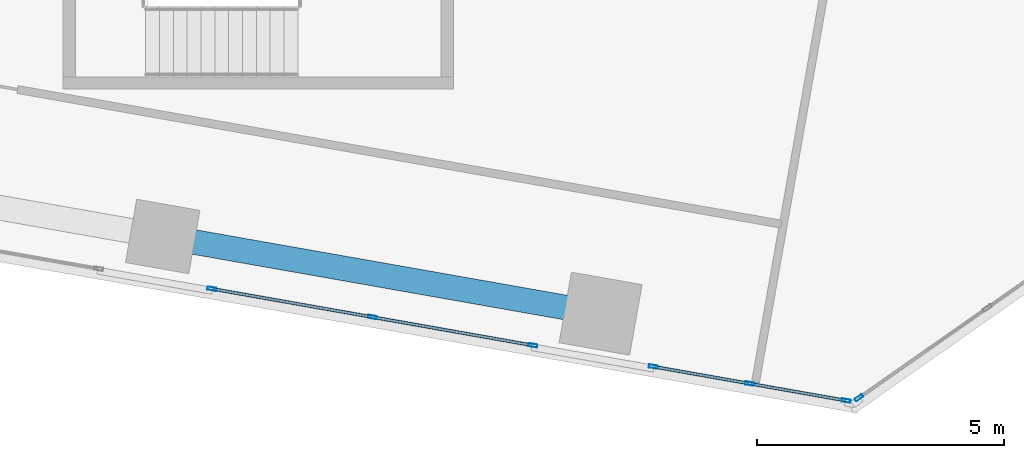
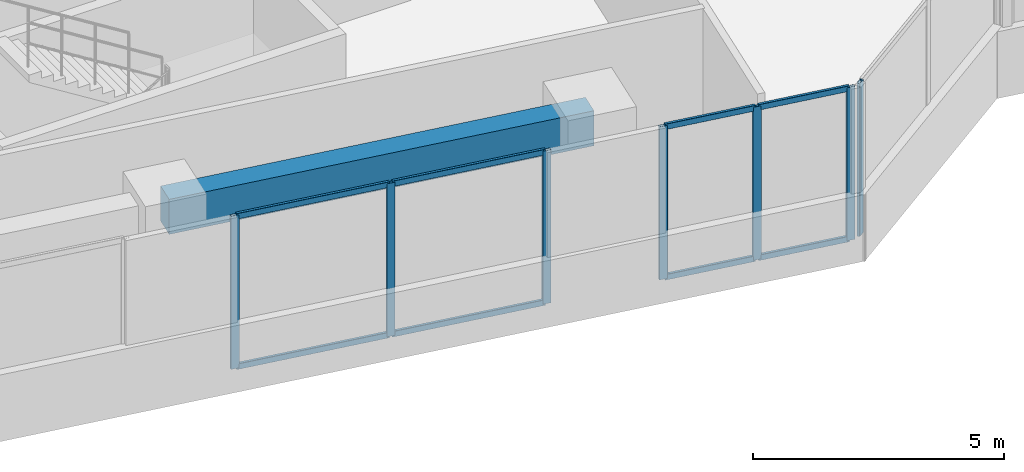
# One storey, part 4 of 24: 15 members, 1 beam, 3 elements without a shape of their own.
"""IFC4 building model written with IfcOpenShell, lengths in metres."""

from ifc_helpers import new_model, si_unit, direction, frame, origin, origin_2d, place, context, subcontext, project, spatial, rectangle, hollow_rectangle, extrude, source, transform, mapped, material, material_profile, profile_set, type_object, element, aggregate, save


model = new_model("IFC4")

# Units and contexts
model_context = context("Model", 3, precision=1e-05, world=origin(), true_north=direction((0.0, 1.0)))
body_context = subcontext(model_context, "Body", "Model", "MODEL_VIEW")
ifc_project = project(units=[si_unit("LENGTHUNIT", "METRE"), si_unit("AREAUNIT", "SQUARE_METRE"), si_unit("VOLUMEUNIT", "CUBIC_METRE"), si_unit("PLANEANGLEUNIT", "RADIAN"), si_unit("MASSUNIT", "GRAM", prefix="KILO")], contexts=[model_context])

# Site, building, storey
site_placement = place(None, origin())
site = spatial("IfcSite", under=ifc_project, at=site_placement, CompositionType="ELEMENT")
building_placement = place(site_placement, origin())
building = spatial("IfcBuilding", under=site, at=building_placement, Name="Torre Montelarca", CompositionType="ELEMENT")
storey_placement = place(building_placement, frame((0.0, 0.0, 74.800048828125)))
storey = spatial("IfcBuildingStorey", under=building, at=storey_placement, Name="L16", CompositionType="ELEMENT", Elevation=74.800048828125)

# Beam
ifc_material_1 = material(Name="Concrete C55/67", Category="concrete")
ifc_material_profile_1 = material_profile(ifc_material_1, rectangle(XDim=0.5, YDim=0.85009765625, at=origin_2d()), Name="RCB500X850", Category="concrete")
ifc_profile_set_1 = profile_set([ifc_material_profile_1], Name="Concrete C55/67")
beam_type = type_object("IfcBeamType", Name="BM-SP-RC850-EXT", PredefinedType="SPANDREL", material=ifc_profile_set_1)
shared_shape_1 = source(origin(), body_context, "Body", "SweptSolid", [
    extrude(rectangle(XDim=0.5, YDim=0.85009765625, at=origin_2d()), origin(), (0.0, 0.0, 1.0), 9.0),
])
beam_placement = place(storey_placement, frame((15.06640625, 15.669189453125, 3.534912109375), z_axis=(0.98480485219, -0.173664628243, 0.0), x_axis=(0.173664628243, 0.98480485219, 0.0)))
element("IfcBeam", 1, at=beam_placement, inside=storey, type_object=beam_type, Name="L16 Grid Girder X 18.0-27.0 at Y=14.8", PredefinedType="SPANDREL", context=body_context, shape_type="MappedRepresentation", body=[
    mapped(shared_shape_1, transform((0.0, 0.0, 0.0), scale=1.0)),
])

# Curtain wall, members
ifc_material_2 = material(Name="Insulated low-E laminated glass", Category="glass")
curtain_wall_type = type_object("IfcCurtainWallType", Name="CW-SYS-Z1", PredefinedType="USERDEFINED", material=ifc_material_2)
curtain_wall_1_placement = place(storey_placement, origin())
curtain_wall_1 = element("IfcCurtainWall", 2, at=curtain_wall_1_placement, inside=storey, type_object=curtain_wall_type, Name="L16 Curtain Wall Run CW-T3-L16-E01-B3", ObjectType="UNITISED GLAZING", PredefinedType="USERDEFINED")
ifc_material_3 = material(Name="Anodised aluminium AA 6063-T6", Category="aluminium")
ifc_material_profile_2 = material_profile(ifc_material_3, hollow_rectangle(XDim=0.06494140625, YDim=0.139892578125, WallThickness=0.00390625, InnerFilletRadius=0.00390625, OuterFilletRadius=0.008056640625, at=origin_2d()), Name="ALU65X140X4", Category="aluminium")
ifc_profile_set_2 = profile_set([ifc_material_profile_2], Name="Anodised aluminium AA 6063-T6")
member_type_1 = type_object("IfcMemberType", Name="CWT-ALU140", PredefinedType="USERDEFINED", material=ifc_profile_set_2)
shared_shape_2 = source(origin(), body_context, "Body", "SweptSolid", [
    extrude(hollow_rectangle(XDim=0.06494140625, YDim=0.139892578125, WallThickness=0.00390625, InnerFilletRadius=0.00390625, OuterFilletRadius=0.008056640625, at=origin_2d()), origin(), (0.0, 0.0, 1.0), 1.9169921875),
])
member_1_placement = place(storey_placement, frame((25.029296875, 13.02880859375, 0.032470703125), z_axis=(0.984819435921, -0.17358190756, 0.0), x_axis=(0.17358190756, 0.984819435921, 0.0)))
member_1 = element("IfcMember", 3, at=member_1_placement, type_object=member_type_1, Name="CW transom 1.1", ObjectType="TRANSOM", PredefinedType="USERDEFINED", context=body_context, shape_type="MappedRepresentation", body=[
    mapped(shared_shape_2, transform((0.0, 0.0, 0.0), scale=1.0)),
])
member_2_placement = place(storey_placement, frame((25.029296875, 13.02880859375, 3.6875), z_axis=(0.984819435921, -0.17358190756, 0.0), x_axis=(0.17358190756, 0.984819435921, 0.0)))
member_2 = element("IfcMember", 4, at=member_2_placement, type_object=member_type_1, Name="CW transom 1.2", ObjectType="TRANSOM", PredefinedType="USERDEFINED", context=body_context, shape_type="MappedRepresentation", body=[
    mapped(shared_shape_2, transform((0.0, 0.0, 0.0), scale=1.0)),
])
member_3_placement = place(storey_placement, frame((26.981201171875, 12.684814453125, 0.032470703125), z_axis=(0.984797658094, -0.173705419066, 0.0), x_axis=(0.173705419066, 0.984797658094, 0.0)))
member_3 = element("IfcMember", 5, at=member_3_placement, type_object=member_type_1, Name="CW transom 2.1", ObjectType="TRANSOM", PredefinedType="USERDEFINED", context=body_context, shape_type="MappedRepresentation", body=[
    mapped(shared_shape_2, transform((0.0, 0.0, 0.0), scale=1.0)),
])
member_4_placement = place(storey_placement, frame((26.981201171875, 12.684814453125, 3.6875), z_axis=(0.984797658094, -0.173705419066, 0.0), x_axis=(0.173705419066, 0.984797658094, 0.0)))
member_4 = element("IfcMember", 6, at=member_4_placement, type_object=member_type_1, Name="CW transom 2.2", ObjectType="TRANSOM", PredefinedType="USERDEFINED", context=body_context, shape_type="MappedRepresentation", body=[
    mapped(shared_shape_2, transform((0.0, 0.0, 0.0), scale=1.0)),
])

curtain_wall_2_placement = place(storey_placement, origin())
curtain_wall_2 = element("IfcCurtainWall", 7, at=curtain_wall_2_placement, inside=storey, type_object=curtain_wall_type, Name="L16 Curtain Wall Run CW-T3-L16-E01-B2", ObjectType="UNITISED GLAZING", PredefinedType="USERDEFINED")
shared_shape_3 = source(origin(), body_context, "Body", "SweptSolid", [
    extrude(hollow_rectangle(XDim=0.06494140625, YDim=0.139892578125, WallThickness=0.00390625, InnerFilletRadius=0.00390625, OuterFilletRadius=0.008056640625, at=origin_2d()), origin(), (0.0, 0.0, 1.0), 3.23486328125),
])
member_5_placement = place(storey_placement, frame((16.09228515625, 14.604736328125, 0.032470703125), z_axis=(0.984806343262, -0.173656172568, 0.0), x_axis=(0.173656172568, 0.984806343262, 0.0)))
member_5 = element("IfcMember", 8, at=member_5_placement, type_object=member_type_1, Name="CW transom 1.1", ObjectType="TRANSOM", PredefinedType="USERDEFINED", context=body_context, shape_type="MappedRepresentation", body=[
    mapped(shared_shape_3, transform((0.0, 0.0, 0.0), scale=1.0)),
])
member_6_placement = place(storey_placement, frame((16.09228515625, 14.604736328125, 3.6875), z_axis=(0.984806343262, -0.173656172568, 0.0), x_axis=(0.173656172568, 0.984806343262, 0.0)))
member_6 = element("IfcMember", 9, at=member_6_placement, type_object=member_type_1, Name="CW transom 1.2", ObjectType="TRANSOM", PredefinedType="USERDEFINED", context=body_context, shape_type="MappedRepresentation", body=[
    mapped(shared_shape_3, transform((0.0, 0.0, 0.0), scale=1.0)),
])
member_7_placement = place(storey_placement, frame((19.342041015625, 14.03173828125, 0.032470703125), z_axis=(0.984806343262, -0.173656172568, 0.0), x_axis=(0.173656172568, 0.984806343262, 0.0)))
member_7 = element("IfcMember", 10, at=member_7_placement, type_object=member_type_1, Name="CW transom 2.1", ObjectType="TRANSOM", PredefinedType="USERDEFINED", context=body_context, shape_type="MappedRepresentation", body=[
    mapped(shared_shape_3, transform((0.0, 0.0, 0.0), scale=1.0)),
])
member_8_placement = place(storey_placement, frame((19.342041015625, 14.03173828125, 3.6875), z_axis=(0.984806343262, -0.173656172568, 0.0), x_axis=(0.173656172568, 0.984806343262, 0.0)))
member_8 = element("IfcMember", 11, at=member_8_placement, type_object=member_type_1, Name="CW transom 2.2", ObjectType="TRANSOM", PredefinedType="USERDEFINED", context=body_context, shape_type="MappedRepresentation", body=[
    mapped(shared_shape_3, transform((0.0, 0.0, 0.0), scale=1.0)),
])
ifc_material_profile_3 = material_profile(ifc_material_3, hollow_rectangle(XDim=0.06494140625, YDim=0.179931640625, WallThickness=0.00390625, InnerFilletRadius=0.00390625, OuterFilletRadius=0.008056640625, at=origin_2d()), Name="ALU65X180X4", Category="aluminium")
ifc_profile_set_3 = profile_set([ifc_material_profile_3], Name="Anodised aluminium AA 6063-T6")
member_type_2 = type_object("IfcMemberType", Name="CWM-ALU180", PredefinedType="MULLION", material=ifc_profile_set_3)
shared_shape_4 = source(origin(), body_context, "Body", "SweptSolid", [
    extrude(hollow_rectangle(XDim=0.06494140625, YDim=0.179931640625, WallThickness=0.00390625, InnerFilletRadius=0.00390625, OuterFilletRadius=0.008056640625, at=origin_2d()), origin(), (0.0, 0.0, 1.0), 3.719970703125),
])
member_9_placement = place(storey_placement, frame((16.060302734375, 14.6103515625, 0.0), z_axis=(0.0, 0.0, 1.0), x_axis=(0.173654376084, 0.984806660044, 0.0)))
member_9 = element("IfcMember", 12, at=member_9_placement, type_object=member_type_2, Name="CW mullion 1", PredefinedType="MULLION", context=body_context, shape_type="MappedRepresentation", body=[
    mapped(shared_shape_4, transform((0.0, 0.0, 0.0), scale=1.0)),
])
member_10_placement = place(storey_placement, frame((19.31005859375, 14.037353515625, 0.0), z_axis=(0.0, 0.0, 1.0), x_axis=(0.173654376084, 0.984806660044, 0.0)))
member_10 = element("IfcMember", 13, at=member_10_placement, type_object=member_type_2, Name="CW mullion 2", PredefinedType="MULLION", context=body_context, shape_type="MappedRepresentation", body=[
    mapped(shared_shape_4, transform((0.0, 0.0, 0.0), scale=1.0)),
])
member_11_placement = place(storey_placement, frame((22.559814453125, 13.46435546875, 0.0), z_axis=(0.0, 0.0, 1.0), x_axis=(0.173654376084, 0.984806660044, 0.0)))
member_11 = element("IfcMember", 14, at=member_11_placement, type_object=member_type_2, Name="CW mullion 3", PredefinedType="MULLION", context=body_context, shape_type="MappedRepresentation", body=[
    mapped(shared_shape_4, transform((0.0, 0.0, 0.0), scale=1.0)),
])
aggregate(curtain_wall_2, [member_9, member_10, member_11, member_5, member_6, member_7, member_8])

# Member
member_12_placement = place(storey_placement, frame((24.997314453125, 13.03466796875, 0.0), z_axis=(0.0, 0.0, 1.0), x_axis=(0.173636665264, 0.98480978289, 0.0)))
member_12 = element("IfcMember", 15, at=member_12_placement, type_object=member_type_2, Name="CW mullion 1", PredefinedType="MULLION", context=body_context, shape_type="MappedRepresentation", body=[
    mapped(shared_shape_4, transform((0.0, 0.0, 0.0), scale=1.0)),
])

member_13_placement = place(storey_placement, frame((26.94921875, 12.6904296875, 0.0), z_axis=(0.0, 0.0, 1.0), x_axis=(0.173636665264, 0.98480978289, 0.0)))
member_13 = element("IfcMember", 16, at=member_13_placement, type_object=member_type_2, Name="CW mullion 2", PredefinedType="MULLION", context=body_context, shape_type="MappedRepresentation", body=[
    mapped(shared_shape_4, transform((0.0, 0.0, 0.0), scale=1.0)),
])

member_14_placement = place(storey_placement, frame((28.901123046875, 12.34619140625, 0.0), z_axis=(0.0, 0.0, 1.0), x_axis=(0.173636665264, 0.98480978289, 0.0)))
member_14 = element("IfcMember", 17, at=member_14_placement, type_object=member_type_2, Name="CW mullion 3", PredefinedType="MULLION", context=body_context, shape_type="MappedRepresentation", body=[
    mapped(shared_shape_4, transform((0.0, 0.0, 0.0), scale=1.0)),
])

aggregate(curtain_wall_1, [member_12, member_13, member_14, member_1, member_2, member_3, member_4])

# Curtain wall, member
curtain_wall_3_placement = place(storey_placement, origin())
curtain_wall_3 = element("IfcCurtainWall", 18, at=curtain_wall_3_placement, inside=storey, type_object=curtain_wall_type, Name="L16 Curtain Wall Run CW-T3-L16-E02-B1", ObjectType="UNITISED GLAZING", PredefinedType="USERDEFINED")
member_15_placement = place(storey_placement, frame((29.161865234375, 12.404052734375, 0.0), z_axis=(0.0, 0.0, 1.0), x_axis=(-0.573560911072, 0.819162914987, 0.0)))
member_15 = element("IfcMember", 19, at=member_15_placement, type_object=member_type_2, Name="CW mullion 1", PredefinedType="MULLION", context=body_context, shape_type="MappedRepresentation", body=[
    mapped(shared_shape_4, transform((0.0, 0.0, 0.0), scale=1.0)),
])
aggregate(curtain_wall_3, [member_15])

save(model, "model.ifc")
